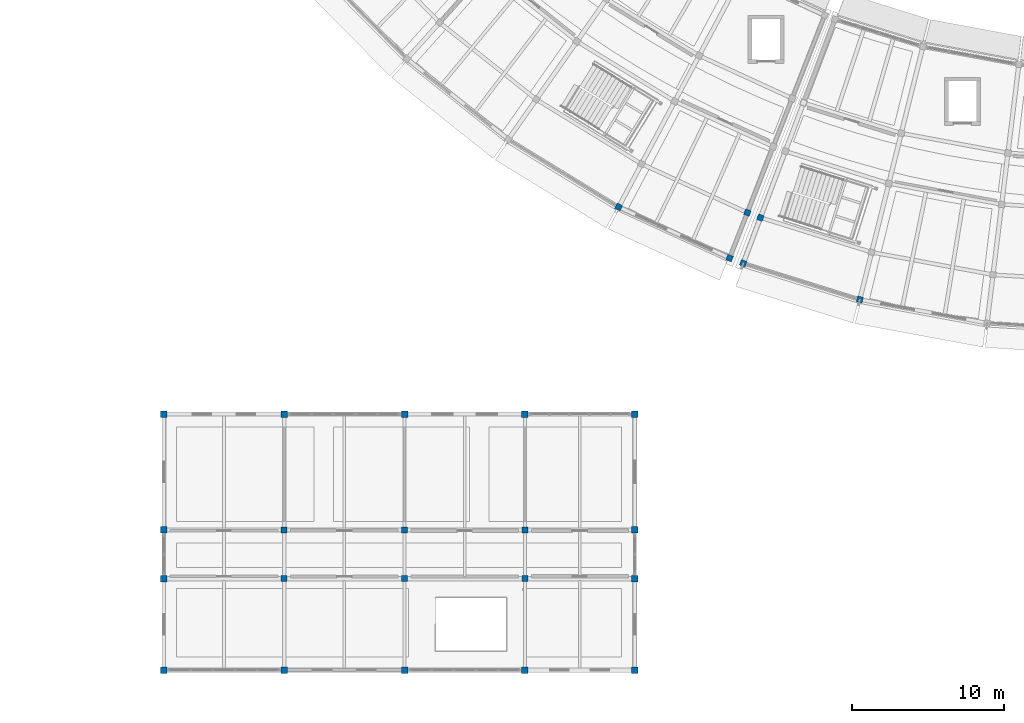
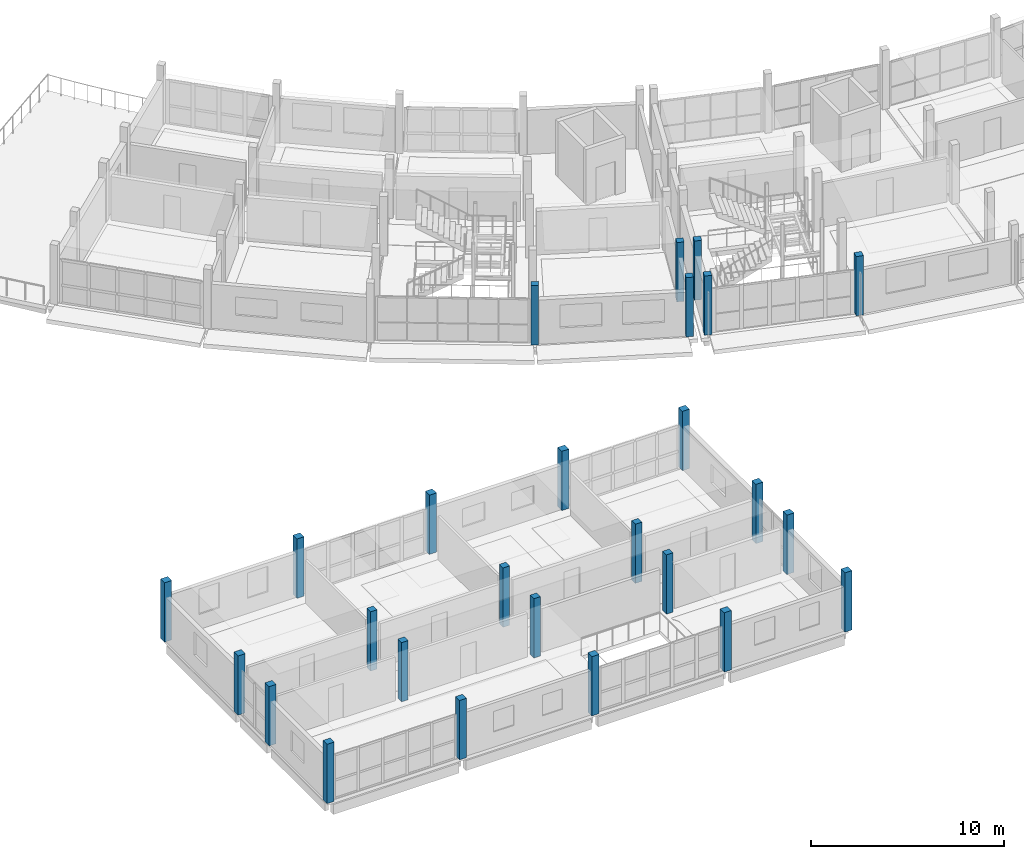
# One storey, part 1 of 66: 26 columns.
"""IFC4 building model written with IfcOpenShell, lengths in metres."""

import ifcopenshell
import ifcopenshell.guid

model = None  # the IFC model being written
_history = None  # IfcOwnerHistory: only IFC2X3 demands one
_inside = {}  # id of a spatial element -> (the spatial element, [elements in it])
_under = {}  # id of a project, library or spatial element -> (it, [spatial elements below it])
_declared = {}  # id of a project -> (the project, [libraries it declares])
_typed = {}  # id of a type object -> (the type object, [elements of that type])
_made_of = {}  # id of a material, layer set ... -> (it, [elements and type objects made of it])


def new_model(schema):
    """Start an empty IFC model of exactly this schema.

    Asked for "IFC4X3", IfcOpenShell would pick the latest addendum, in which some entities
    have other attributes; the version numbers below select the first issue.
    IFC2X3 requires an IfcOwnerHistory on every rooted entity: one is made here for all.
    """
    global model, _history
    if schema == "IFC4X3":
        model = ifcopenshell.file(schema_version=(4, 3, 0, 0))
    else:
        model = ifcopenshell.file(schema=schema)
    _inside.clear()
    _under.clear()
    _declared.clear()
    _typed.clear()
    _made_of.clear()
    _history = None
    if model.schema == "IFC2X3":
        org = make("IfcOrganization", Name="unknown")
        user = make(
            "IfcPersonAndOrganization",
            ThePerson=make("IfcPerson", FamilyName="unknown"),
            TheOrganization=org,
        )
        app = make(
            "IfcApplication",
            ApplicationDeveloper=org,
            Version="unknown",
            ApplicationFullName="unknown",
            ApplicationIdentifier="unknown",
        )
        _history = make(
            "IfcOwnerHistory",
            OwningUser=user,
            OwningApplication=app,
            ChangeAction="ADDED",
            CreationDate=0,
        )
    return model


def make(cls, **values):
    """One entity of the class cls with the attributes given. An attribute that is None is left unset."""
    return model.create_entity(
        cls, **{name: value for name, value in values.items() if value is not None}
    )


def rooted(cls, **values):
    """An entity with a GlobalId (a new one), such as an element, a storey or a relation."""
    return make(cls, GlobalId=ifcopenshell.guid.new(), OwnerHistory=_history, **values)


def si_unit(unit_type, name, prefix=None):
    """IfcSIUnit, for example si_unit("LENGTHUNIT", "METRE", prefix="MILLI")."""
    return make("IfcSIUnit", UnitType=unit_type, Prefix=prefix, Name=name)


def assignment(units):
    """IfcUnitAssignment: the units of a project."""
    return None if units is None else make("IfcUnitAssignment", Units=units)


def point(xyz):
    """IfcCartesianPoint."""
    return None if xyz is None else make("IfcCartesianPoint", Coordinates=xyz)


def direction(xyz):
    """IfcDirection."""
    return None if xyz is None else make("IfcDirection", DirectionRatios=xyz)


def frame(location, z_axis=None, x_axis=None):
    """IfcAxis2Placement3D, a coordinate frame: its origin and axes. An axis left out is left unset."""
    return make(
        "IfcAxis2Placement3D",
        Location=point(location),
        Axis=direction(z_axis),
        RefDirection=direction(x_axis),
    )


def frame_2d(location, x_axis=None):
    """IfcAxis2Placement2D, a coordinate frame in the plane: its origin and x axis."""
    return make(
        "IfcAxis2Placement2D", Location=point(location), RefDirection=direction(x_axis)
    )


def origin():
    """The frame at (0, 0, 0) with its axes left unset."""
    return frame((0.0, 0.0, 0.0))


def origin_2d():
    """The frame at (0, 0) in the plane with its x axis left unset."""
    return frame_2d((0.0, 0.0))


def place(relative_to, where):
    """IfcLocalPlacement: puts the frame where relative to a parent placement (None: the world)."""
    return make(
        "IfcLocalPlacement", PlacementRelTo=relative_to, RelativePlacement=where
    )


def context(
    kind, dimensions, precision=None, world=None, true_north=None, identifier=None
):
    """IfcGeometricRepresentationContext, for example the 3D "Model" context."""
    return make(
        "IfcGeometricRepresentationContext",
        ContextIdentifier=identifier,
        ContextType=kind,
        CoordinateSpaceDimension=dimensions,
        Precision=precision,
        WorldCoordinateSystem=world,
        TrueNorth=true_north,
    )


def subcontext(parent, identifier, kind, view, scale=None):
    """IfcGeometricRepresentationSubContext, for example "Body" below "Model"."""
    return make(
        "IfcGeometricRepresentationSubContext",
        ContextIdentifier=identifier,
        ContextType=kind,
        ParentContext=parent,
        TargetScale=scale,
        TargetView=view,
    )


def project(units=None, contexts=None):
    """IfcProject with its units and contexts."""
    return rooted(
        "IfcProject",
        Name="project",
        RepresentationContexts=contexts,
        UnitsInContext=assignment(units),
    )


def spatial(cls, under=None, at=None, **own):
    """A site, building, storey or space (cls), placed at a placement, below another one or the project."""
    s = rooted(cls, ObjectPlacement=at, **own)
    if under is not None:
        _under.setdefault(under.id(), (under, []))[1].append(s)
    return s


def profile(cls, at=None, kind="AREA", **sizes):
    """A parametric profile (cls). Its sizes go by their IFC names, for example OverallWidth=200.0."""
    return make(cls, ProfileType=kind, Position=at, **sizes)


def rectangle(**sizes):
    """IfcRectangleProfileDef."""
    return profile("IfcRectangleProfileDef", **sizes)


def extrude(swept, where, along, depth):
    """IfcExtrudedAreaSolid: the profile swept, set in the frame where, extruded along a direction by depth."""
    return make(
        "IfcExtrudedAreaSolid",
        SweptArea=swept,
        Position=where,
        ExtrudedDirection=direction(along),
        Depth=depth,
    )


def shape(context_of_items, identifier, shape_type, items):
    """IfcShapeRepresentation: the items that make up one representation, for example the "Body"."""
    return make(
        "IfcShapeRepresentation",
        ContextOfItems=context_of_items,
        RepresentationIdentifier=identifier,
        RepresentationType=shape_type,
        Items=items,
    )


def material(Name=None, Category=None):
    """IfcMaterial."""
    return make("IfcMaterial", Name=Name, Category=Category)


def material_profile(
    of_material, cross_section, Name=None, Category=None, Priority=None
):
    """IfcMaterialProfile: a cross section and its material."""
    return make(
        "IfcMaterialProfile",
        Name=Name,
        Material=of_material,
        Profile=cross_section,
        Priority=Priority,
        Category=Category,
    )


def profile_set(profiles, Name=None, composite=None):
    """IfcMaterialProfileSet."""
    return make(
        "IfcMaterialProfileSet",
        Name=Name,
        MaterialProfiles=profiles,
        CompositeProfile=composite,
    )


def made_of(thing, what):
    """Note that an element or type object is made of a material, layer set ...; save() writes the relation."""
    if what is not None:
        _made_of.setdefault(what.id(), (what, []))[1].append(thing)
    return thing


def type_object(cls, material=None, **own):
    """A type object (cls), such as IfcWallType, which elements share."""
    return made_of(rooted(cls, **own), material)


def element(
    cls,
    number,
    at=None,
    inside=None,
    cuts=None,
    type_object=None,
    material=None,
    context=None,
    identifier="Body",
    shape_type=None,
    held_by="IfcProductDefinitionShape",
    body=None,
    shapes=None,
    **own,
):
    """One element of the class cls, such as IfcWall. Its Tag is "e" and its number.

    at: its placement. inside: the storey or other place that contains it. cuts: it is an
    opening in that element (IfcRelVoidsElement). A single representation is given by context,
    identifier, shape_type and body (its items); several are given by shapes. held_by: the class
    of the entity that holds the representations. save() writes the other relations.
    """
    e = rooted(cls, Tag="e%d" % number, ObjectPlacement=at, **own)
    if body is not None:
        shapes = [shape(context, identifier, shape_type, body)]
    if shapes is not None:
        e.Representation = make(held_by, Representations=shapes)
    if inside is not None:
        _inside.setdefault(inside.id(), (inside, []))[1].append(e)
    if cuts is not None:
        rooted(
            "IfcRelVoidsElement", RelatingBuildingElement=cuts, RelatedOpeningElement=e
        )
    if type_object is not None:
        _typed.setdefault(type_object.id(), (type_object, []))[1].append(e)
    return made_of(e, material)


def aggregate(whole, parts):
    """IfcRelAggregates: a whole, such as a stair, and the parts it consists of."""
    return rooted("IfcRelAggregates", RelatingObject=whole, RelatedObjects=parts)


def save(model, path):
    """Write the relations noted so far, then the file.

    IfcRelAggregates (storeys below a building ...), IfcRelContainedInSpatialStructure (elements
    in a storey), IfcRelDefinesByType, IfcRelAssociatesMaterial and IfcRelDeclares: one each for
    every whole, place, type object, material and project.
    """
    for whole, parts in _under.values():
        aggregate(whole, parts)
    for where, things in _inside.values():
        rooted(
            "IfcRelContainedInSpatialStructure",
            RelatedElements=things,
            RelatingStructure=where,
        )
    for kind, things in _typed.values():
        rooted("IfcRelDefinesByType", RelatedObjects=things, RelatingType=kind)
    for what, things in _made_of.values():
        rooted("IfcRelAssociatesMaterial", RelatedObjects=things, RelatingMaterial=what)
    for by, libraries in _declared.values():
        rooted("IfcRelDeclares", RelatingContext=by, RelatedDefinitions=libraries)
    model.write(path)


model = new_model("IFC4")

# Units and contexts
model_context = context("Model", 3, precision=1e-05, world=origin(), true_north=direction((0.0, 1.0)))
body_context = subcontext(model_context, "Body", "Model", "MODEL_VIEW")
ifc_project = project(units=[si_unit("LENGTHUNIT", "METRE"), si_unit("AREAUNIT", "SQUARE_METRE"), si_unit("VOLUMEUNIT", "CUBIC_METRE"), si_unit("PLANEANGLEUNIT", "RADIAN"), si_unit("MASSUNIT", "GRAM", prefix="KILO")], contexts=[model_context])

# Site, building, storey
site_placement = place(None, origin())
site = spatial("IfcSite", under=ifc_project, at=site_placement, CompositionType="ELEMENT")
building_placement = place(site_placement, origin())
building = spatial("IfcBuilding", under=site, at=building_placement, Name="Caldaven Crescent School", CompositionType="ELEMENT")
storey_placement = place(building_placement, frame((0.0, 0.0, 8.159912109375)))
storey = spatial("IfcBuildingStorey", under=building, at=storey_placement, Name="L02", CompositionType="ELEMENT", Elevation=8.159912109375)

# Columns
ifc_material = material(Name="Glulam MLE24h (GL28h)", Category="wood")
ifc_material_profile_1 = material_profile(ifc_material, rectangle(XDim=0.389892578125, YDim=0.389892578125, at=origin_2d()), Name="MLE 390x390")
ifc_profile_set_1 = profile_set([ifc_material_profile_1], Name="Glulam MLE24h (GL28h)")
column_type_1 = type_object("IfcColumnType", Name="COL-GL39", PredefinedType="COLUMN", material=ifc_profile_set_1)
for number, where, z_axis, x_axis, name in (
    (1, (33.39990234375, 10.199951171875, 0.0), (0.0, 0.0, 1.0), (1.0, 0.0, 0.0), "COL-V4S-L02-1-1"),
    (2, (33.39990234375, 13.39990234375, 0.0), (0.0, 0.0, 1.0), (1.0, 0.0, 0.0), "COL-V4S-L02-1-2"),
    (3, (41.300048828125, 10.199951171875, 0.0), (0.0, 0.0, 1.0), (1.0, 0.0, 0.0), "COL-V4S-L02-2-1"),
    (4, (41.300048828125, 13.39990234375, 0.0), (0.0, 0.0, 1.0), (1.0, 0.0, 0.0), "COL-V4S-L02-2-2"),
    (5, (49.199951171875, 10.199951171875, 0.0), (0.0, 0.0, 1.0), (1.0, 0.0, 0.0), "COL-V4S-L02-3-1"),
    (6, (49.199951171875, 13.39990234375, 0.0), (0.0, 0.0, 1.0), (1.0, 0.0, 0.0), "COL-V4S-L02-3-2"),
    (7, (55.34814453125, 34.591064453125, 0.0), (0.0, 0.0, 1.0), (-0.469471562786, -0.882947592859, 0.0), "COL-V4W-L02-03-4"),
    (8, (63.79638671875, 34.22216796875, 0.0), (0.0, 0.0, 1.0), (-0.364714278886, -0.931119484694, 0.0), "COL-V4W-L02-04-3"),
    (9, (62.629150390625, 31.24267578125, 0.0), (0.0, 0.0, 1.0), (-0.364714278886, -0.931119484694, 0.0), "COL-V4W-L02-04-4"),
    (10, (64.6494140625, 33.894775390625, 0.0), (0.0, 0.0, 1.0), (-0.352005016254, -0.93599811353, 0.0), "COL-V5-L02-00-3"),
    (11, (63.523193359375, 30.8994140625, 0.0), (0.0, 0.0, 1.0), (-0.352005016254, -0.93599811353, 0.0), "COL-V5-L02-00-4"),
    (12, (71.17431640625, 28.515869140625, 0.0), (0.0, 0.0, 1.0), (-0.2419218956, -0.970295726276, 0.0), "COL-V5-L02-01-4"),
):
    element("IfcColumn", number, at=place(storey_placement, frame(where, z_axis=z_axis, x_axis=x_axis)), inside=storey, type_object=column_type_1, Name=name, PredefinedType="COLUMN", context=body_context, shape_type="SweptSolid", body=[
        extrude(rectangle(XDim=0.389892578125, YDim=0.389892578125, at=origin_2d()), origin(), (0.0, 0.0, 1.0), 3.739990234375),
    ])
ifc_material_profile_2 = material_profile(ifc_material, rectangle(XDim=0.419921875, YDim=0.419921875, at=origin_2d()), Name="MLE 420x420")
ifc_profile_set_2 = profile_set([ifc_material_profile_2], Name="Glulam MLE24h (GL28h)")
column_type_2 = type_object("IfcColumnType", Name="COL-GL42", PredefinedType="COLUMN", material=ifc_profile_set_2)
for number, where, z_axis, x_axis, name in (
    (13, (25.5, 4.199951171875, 0.0), (0.0, 0.0, 1.0), (1.0, 0.0, 0.0), "COL-V4S-L02-0-0"),
    (14, (25.5, 10.199951171875, 0.0), (0.0, 0.0, 1.0), (1.0, 0.0, 0.0), "COL-V4S-L02-0-1"),
    (15, (25.5, 13.39990234375, 0.0), (0.0, 0.0, 1.0), (1.0, 0.0, 0.0), "COL-V4S-L02-0-2"),
    (16, (25.5, 21.0, 0.0), (0.0, 0.0, 1.0), (1.0, 0.0, 0.0), "COL-V4S-L02-0-3"),
    (17, (33.39990234375, 4.199951171875, 0.0), (0.0, 0.0, 1.0), (1.0, 0.0, 0.0), "COL-V4S-L02-1-0"),
    (18, (33.39990234375, 21.0, 0.0), (0.0, 0.0, 1.0), (1.0, 0.0, 0.0), "COL-V4S-L02-1-3"),
    (19, (41.300048828125, 4.199951171875, 0.0), (0.0, 0.0, 1.0), (1.0, 0.0, 0.0), "COL-V4S-L02-2-0"),
    (20, (41.300048828125, 21.0, 0.0), (0.0, 0.0, 1.0), (1.0, 0.0, 0.0), "COL-V4S-L02-2-3"),
    (21, (49.199951171875, 4.199951171875, 0.0), (0.0, 0.0, 1.0), (1.0, 0.0, 0.0), "COL-V4S-L02-3-0"),
    (22, (49.199951171875, 21.0, 0.0), (0.0, 0.0, 1.0), (1.0, 0.0, 0.0), "COL-V4S-L02-3-3"),
    (23, (56.39990234375, 4.199951171875, 0.0), (0.0, 0.0, 1.0), (1.0, 0.0, 0.0), "COL-V4S-L02-4-0"),
    (24, (56.39990234375, 10.199951171875, 0.0), (0.0, 0.0, 1.0), (1.0, 0.0, 0.0), "COL-V4S-L02-4-1"),
    (25, (56.39990234375, 13.39990234375, 0.0), (0.0, 0.0, 1.0), (1.0, 0.0, 0.0), "COL-V4S-L02-4-2"),
    (26, (56.39990234375, 21.0, 0.0), (0.0, 0.0, 1.0), (1.0, 0.0, 0.0), "COL-V4S-L02-4-3"),
):
    element("IfcColumn", number, at=place(storey_placement, frame(where, z_axis=z_axis, x_axis=x_axis)), inside=storey, type_object=column_type_2, Name=name, PredefinedType="COLUMN", context=body_context, shape_type="SweptSolid", body=[
        extrude(rectangle(XDim=0.419921875, YDim=0.419921875, at=origin_2d()), origin(), (0.0, 0.0, 1.0), 3.739990234375),
    ])

save(model, "model.ifc")
